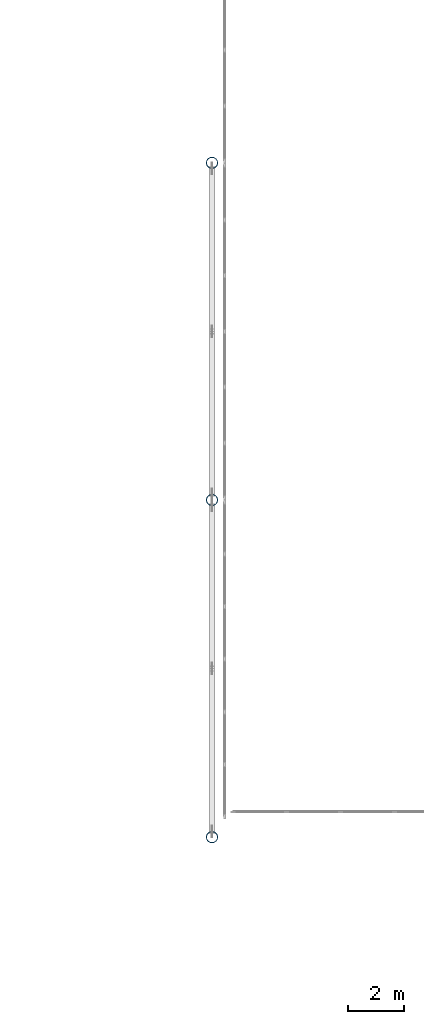
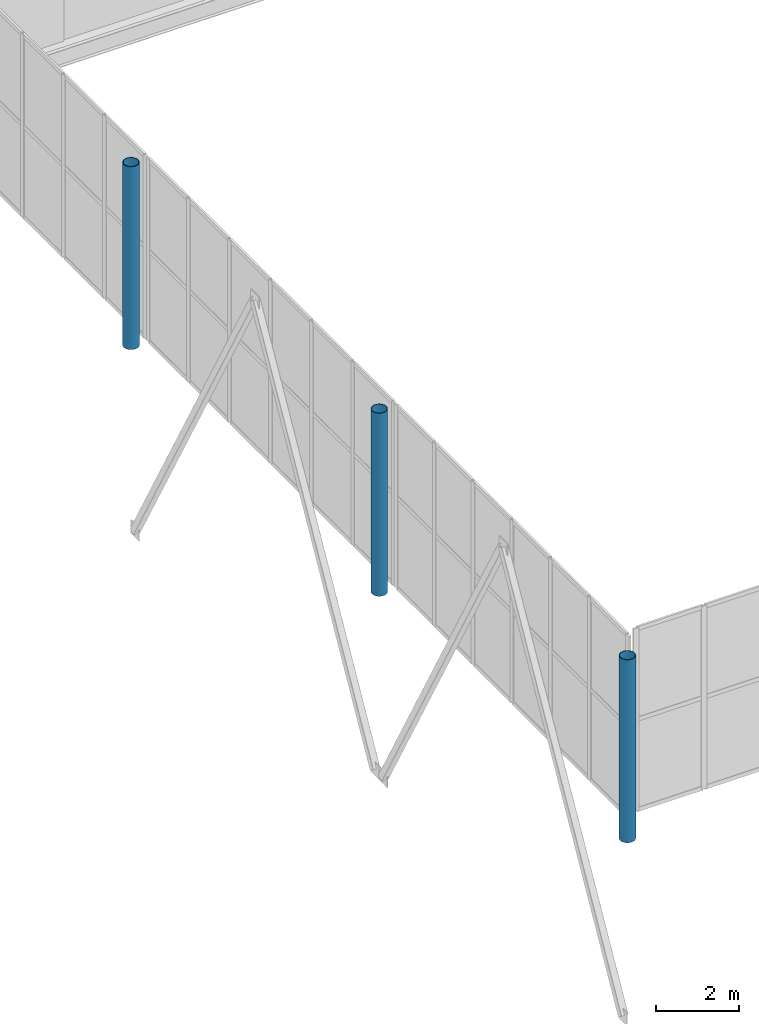
# One storey, part 14 of 170: 3 columns.
"""IFC4 building model written with IfcOpenShell, lengths in metres."""

from ifc_helpers import new_model, si_unit, direction, frame, origin, origin_2d, place, context, subcontext, project, spatial, hollow_circle, extrude, material, material_profile, profile_set, type_object, element, save


model = new_model("IFC4")

# Units and contexts
model_context = context("Model", 3, precision=1e-05, world=origin(), true_north=direction((0.0, 1.0)))
body_context = subcontext(model_context, "Body", "Model", "MODEL_VIEW")
ifc_project = project(units=[si_unit("LENGTHUNIT", "METRE"), si_unit("AREAUNIT", "SQUARE_METRE"), si_unit("VOLUMEUNIT", "CUBIC_METRE"), si_unit("PLANEANGLEUNIT", "RADIAN"), si_unit("MASSUNIT", "GRAM", prefix="KILO")], contexts=[model_context])

# Site, building, storey
site_placement = place(None, origin())
site = spatial("IfcSite", under=ifc_project, at=site_placement, CompositionType="ELEMENT")
building_placement = place(site_placement, origin())
building = spatial("IfcBuilding", under=site, at=building_placement, Name="Ravi Spectrum Wholesale Market", CompositionType="ELEMENT")
storey_placement = place(building_placement, frame((0.0, 0.0, 5.39990234375)))
storey = spatial("IfcBuildingStorey", under=building, at=storey_placement, Name="L01", CompositionType="ELEMENT", Elevation=5.39990234375)

# Columns
ifc_material = material(Name="Steel S355", Category="steel")
ifc_material_profile = material_profile(ifc_material, hollow_circle(Radius=0.203125, WallThickness=0.01611328125, at=origin_2d()))
ifc_profile_set = profile_set([ifc_material_profile], Name="Steel S355")
column_type = type_object("IfcColumnType", Name="CHS 406.4x16 column", PredefinedType="COLUMN", material=ifc_profile_set)
for number, where, z_axis, x_axis, name in (
    (1, (150.0, 78.0, 0.0), (0.0, 0.0, 1.0), (1.0, 0.0, 0.0), "H2-COL-L01-001"),
    (2, (150.0, 90.0, 0.0), (0.0, 0.0, 1.0), (1.0, 0.0, 0.0), "H2-COL-L01-002"),
    (3, (150.0, 102.0, 0.0), (0.0, 0.0, 1.0), (1.0, 0.0, 0.0), "H2-COL-L01-003"),
):
    element("IfcColumn", number, at=place(storey_placement, frame(where, z_axis=z_axis, x_axis=x_axis)), inside=storey, type_object=column_type, Name=name, PredefinedType="COLUMN", context=body_context, shape_type="SweptSolid", body=[
        extrude(hollow_circle(Radius=0.203125, WallThickness=0.01611328125, at=origin_2d()), origin(), (0.0, 0.0, 1.0), 5.400146484375),
    ])

save(model, "model.ifc")
